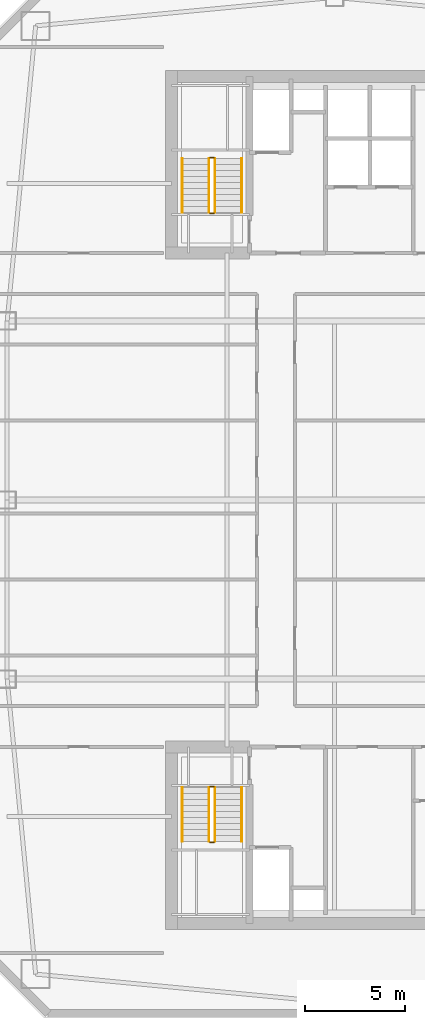
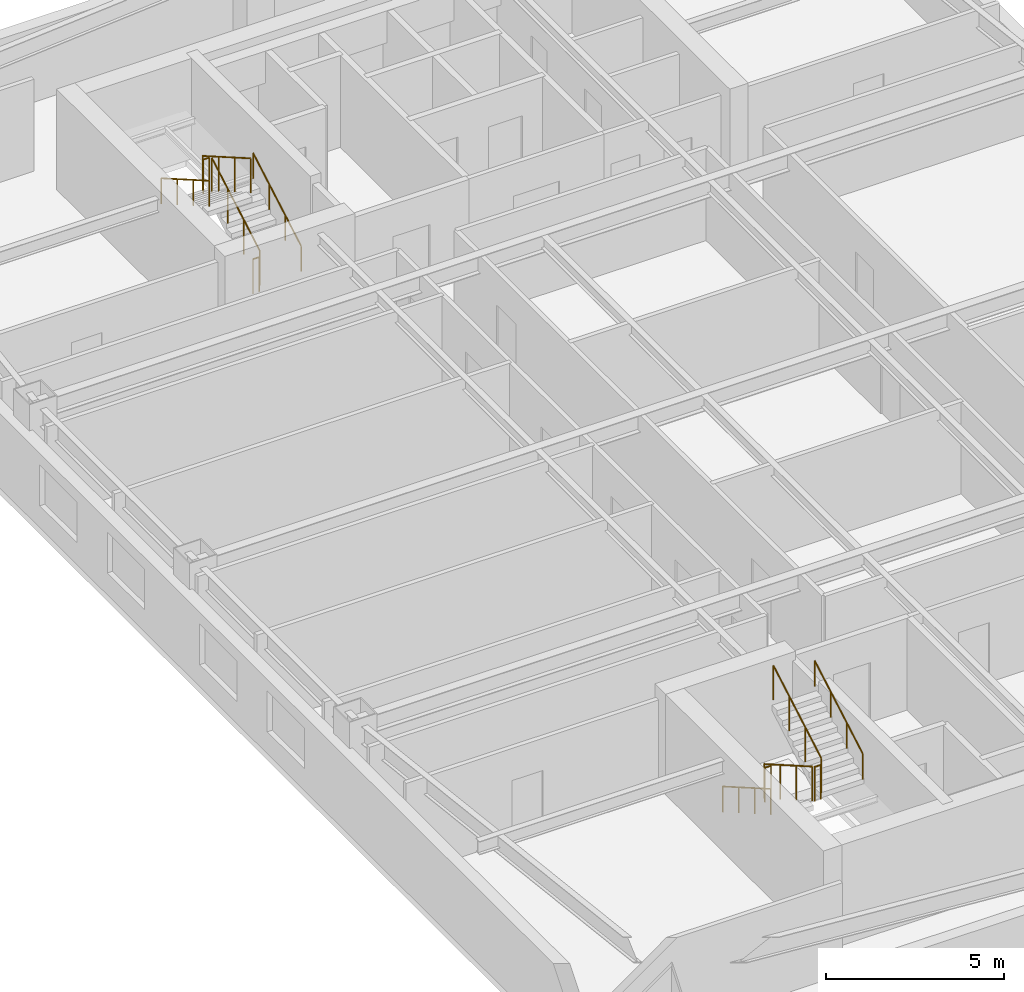
# One storey, part 12 of 13: 12 railings.
"""IFC4 building model written with IfcOpenShell, lengths in metres."""

from ifc_helpers import new_model, si_unit, direction, frame, origin, origin_2d, place, context, subcontext, project, spatial, circle, extrude, material, type_object, element, save


model = new_model("IFC4")

# Units and contexts
model_context = context("Model", 3, precision=1e-05, world=origin(), true_north=direction((0.0, 1.0)))
body_context = subcontext(model_context, "Body", "Model", "MODEL_VIEW")
ifc_project = project(units=[si_unit("LENGTHUNIT", "METRE"), si_unit("AREAUNIT", "SQUARE_METRE"), si_unit("VOLUMEUNIT", "CUBIC_METRE"), si_unit("PLANEANGLEUNIT", "RADIAN"), si_unit("MASSUNIT", "GRAM", prefix="KILO")], contexts=[model_context])

# Site, building, storey
site_placement = place(None, origin())
site = spatial("IfcSite", under=ifc_project, at=site_placement, CompositionType="ELEMENT")
building_placement = place(site_placement, origin())
building = spatial("IfcBuilding", under=site, at=building_placement, Name="Qiaolan Cultural Towers", CompositionType="ELEMENT")
storey_placement = place(building_placement, frame((0.0, 0.0, 180.550048828125)))
storey = spatial("IfcBuildingStorey", under=building, at=storey_placement, Name="L48", CompositionType="ELEMENT", Elevation=180.550048828125)

# Railings
ifc_material_1 = material(Name="Galvanized Painted Steel Stair Guardrail", Category="steel")
railing_type_1 = type_object("IfcRailingType", Name="RL-STAIR-GRD", PredefinedType="GUARDRAIL", material=ifc_material_1)
railing_1_placement = place(storey_placement, frame((23.68994140625, 19.550048828125, 0.17236328125)))
element("IfcRailing", 1, at=railing_1_placement, inside=storey, type_object=railing_type_1, Name="L48 ST-W1 stair guard 1", PredefinedType="GUARDRAIL", context=body_context, shape_type="SweptSolid", body=[
    extrude(circle(Radius=0.02392578125, at=origin_2d()), frame((0.0, 0.0, 1.17578125), z_axis=(0.0, -0.866903762492, 0.498475542607), x_axis=(1.0, 0.0, 0.0)), (0.0, 0.0, 1.0), 3.114501953125),
    extrude(circle(Radius=0.02099609375, at=origin_2d()), origin(), (0.0, 0.0, 1.0), 1.15185546875),
    extrude(circle(Radius=0.02099609375, at=origin_2d()), frame((0.0, -0.89990234375, 0.517578125)), (0.0, 0.0, 1.0), 1.15185546875),
    extrude(circle(Radius=0.02099609375, at=origin_2d()), frame((0.0, -1.800048828125, 1.034912109375)), (0.0, 0.0, 1.0), 1.15185546875),
    extrude(circle(Radius=0.02099609375, at=origin_2d()), frame((0.0, -2.699951171875, 1.552490234375)), (0.0, 0.0, 1.0), 1.15185546875),
])
railing_2_placement = place(storey_placement, frame((23.739990234375, 16.800048828125, 1.724853515625)))
element("IfcRailing", 2, at=railing_2_placement, inside=storey, type_object=railing_type_1, Name="L48 ST-W1 stair guard 2", PredefinedType="GUARDRAIL", context=body_context, shape_type="SweptSolid", body=[
    extrude(circle(Radius=0.02392578125, at=origin_2d()), frame((0.0, 0.0, 1.17578125), z_axis=(1.0, 0.0, 0.0), x_axis=(0.0, 1.0, 0.0)), (0.0, 0.0, 1.0), 0.199951171875),
    extrude(circle(Radius=0.02099609375, at=origin_2d()), origin(), (0.0, 0.0, 1.0), 1.15185546875),
    extrude(circle(Radius=0.02099609375, at=origin_2d()), frame((0.199951171875, 0.0, 0.0)), (0.0, 0.0, 1.0), 1.15185546875),
])
railing_3_placement = place(storey_placement, frame((23.989990234375, 16.85009765625, 1.8974609375)))
element("IfcRailing", 3, at=railing_3_placement, inside=storey, type_object=railing_type_1, Name="L48 ST-W1 stair guard 3", PredefinedType="GUARDRAIL", context=body_context, shape_type="SweptSolid", body=[
    extrude(circle(Radius=0.02392578125, at=origin_2d()), frame((0.0, 0.0, 1.17578125), z_axis=(0.0, 0.866903762492, 0.498475542607), x_axis=(-1.0, 0.0, 0.0)), (0.0, 0.0, 1.0), 3.114501953125),
    extrude(circle(Radius=0.02099609375, at=origin_2d()), origin(), (0.0, 0.0, 1.0), 1.15185546875),
    extrude(circle(Radius=0.02099609375, at=origin_2d()), frame((0.0, 0.89990234375, 0.517578125)), (0.0, 0.0, 1.0), 1.15185546875),
    extrude(circle(Radius=0.02099609375, at=origin_2d()), frame((0.0, 1.800048828125, 1.034912109375)), (0.0, 0.0, 1.0), 1.15185546875),
    extrude(circle(Radius=0.02099609375, at=origin_2d()), frame((0.0, 2.699951171875, 1.552490234375)), (0.0, 0.0, 1.0), 1.15185546875),
])
railing_4_placement = place(storey_placement, frame((23.739990234375, 19.60009765625, 0.0)))
element("IfcRailing", 4, at=railing_4_placement, inside=storey, type_object=railing_type_1, Name="L48 ST-W1 stair guard 4", PredefinedType="GUARDRAIL", context=body_context, shape_type="SweptSolid", body=[
    extrude(circle(Radius=0.02392578125, at=origin_2d()), frame((0.0, 0.0, 1.17578125), z_axis=(1.0, 0.0, 0.0), x_axis=(0.0, 1.0, 0.0)), (0.0, 0.0, 1.0), 0.199951171875),
    extrude(circle(Radius=0.02099609375, at=origin_2d()), origin(), (0.0, 0.0, 1.0), 1.15185546875),
    extrude(circle(Radius=0.02099609375, at=origin_2d()), frame((0.199951171875, 0.0, 0.0)), (0.0, 0.0, 1.0), 1.15185546875),
])
railing_5_placement = place(storey_placement, frame((23.989990234375, 48.449951171875, 0.17236328125)))
element("IfcRailing", 5, at=railing_5_placement, inside=storey, type_object=railing_type_1, Name="L48 ST-W2 stair guard 1", PredefinedType="GUARDRAIL", context=body_context, shape_type="SweptSolid", body=[
    extrude(circle(Radius=0.02392578125, at=origin_2d()), frame((0.0, 0.0, 1.17578125), z_axis=(0.0, 0.866903762492, 0.498475542607), x_axis=(-1.0, 0.0, 0.0)), (0.0, 0.0, 1.0), 3.114501953125),
    extrude(circle(Radius=0.02099609375, at=origin_2d()), origin(), (0.0, 0.0, 1.0), 1.15185546875),
    extrude(circle(Radius=0.02099609375, at=origin_2d()), frame((0.0, 0.89990234375, 0.517578125)), (0.0, 0.0, 1.0), 1.15185546875),
    extrude(circle(Radius=0.02099609375, at=origin_2d()), frame((0.0, 1.800048828125, 1.034912109375)), (0.0, 0.0, 1.0), 1.15185546875),
    extrude(circle(Radius=0.02099609375, at=origin_2d()), frame((0.0, 2.699951171875, 1.552490234375)), (0.0, 0.0, 1.0), 1.15185546875),
])
railing_6_placement = place(storey_placement, frame((23.93994140625, 51.199951171875, 1.724853515625)))
element("IfcRailing", 6, at=railing_6_placement, inside=storey, type_object=railing_type_1, Name="L48 ST-W2 stair guard 2", PredefinedType="GUARDRAIL", context=body_context, shape_type="SweptSolid", body=[
    extrude(circle(Radius=0.02392578125, at=origin_2d()), frame((0.0, 0.0, 1.17578125), z_axis=(-1.0, 0.0, 0.0), x_axis=(0.0, -1.0, 0.0)), (0.0, 0.0, 1.0), 0.199951171875),
    extrude(circle(Radius=0.02099609375, at=origin_2d()), origin(), (0.0, 0.0, 1.0), 1.15185546875),
    extrude(circle(Radius=0.02099609375, at=origin_2d()), frame((-0.199951171875, 0.0, 0.0)), (0.0, 0.0, 1.0), 1.15185546875),
])
railing_7_placement = place(storey_placement, frame((23.68994140625, 51.14990234375, 1.8974609375)))
element("IfcRailing", 7, at=railing_7_placement, inside=storey, type_object=railing_type_1, Name="L48 ST-W2 stair guard 3", PredefinedType="GUARDRAIL", context=body_context, shape_type="SweptSolid", body=[
    extrude(circle(Radius=0.02392578125, at=origin_2d()), frame((0.0, 0.0, 1.17578125), z_axis=(0.0, -0.866903762492, 0.498475542607), x_axis=(1.0, 0.0, 0.0)), (0.0, 0.0, 1.0), 3.114501953125),
    extrude(circle(Radius=0.02099609375, at=origin_2d()), origin(), (0.0, 0.0, 1.0), 1.15185546875),
    extrude(circle(Radius=0.02099609375, at=origin_2d()), frame((0.0, -0.89990234375, 0.517578125)), (0.0, 0.0, 1.0), 1.15185546875),
    extrude(circle(Radius=0.02099609375, at=origin_2d()), frame((0.0, -1.800048828125, 1.034912109375)), (0.0, 0.0, 1.0), 1.15185546875),
    extrude(circle(Radius=0.02099609375, at=origin_2d()), frame((0.0, -2.699951171875, 1.552490234375)), (0.0, 0.0, 1.0), 1.15185546875),
])
railing_8_placement = place(storey_placement, frame((23.93994140625, 48.39990234375, 0.0)))
element("IfcRailing", 8, at=railing_8_placement, inside=storey, type_object=railing_type_1, Name="L48 ST-W2 stair guard 4", PredefinedType="GUARDRAIL", context=body_context, shape_type="SweptSolid", body=[
    extrude(circle(Radius=0.02392578125, at=origin_2d()), frame((0.0, 0.0, 1.17578125), z_axis=(-1.0, 0.0, 0.0), x_axis=(0.0, -1.0, 0.0)), (0.0, 0.0, 1.0), 0.199951171875),
    extrude(circle(Radius=0.02099609375, at=origin_2d()), origin(), (0.0, 0.0, 1.0), 1.15185546875),
    extrude(circle(Radius=0.02099609375, at=origin_2d()), frame((-0.199951171875, 0.0, 0.0)), (0.0, 0.0, 1.0), 1.15185546875),
])
ifc_material_2 = material(Name="Stainless Steel S30408 Tubular Handrail", Category="steel")
railing_type_2 = type_object("IfcRailingType", Name="RL-STAIR-HR", PredefinedType="HANDRAIL", material=ifc_material_2)
railing_9_placement = place(storey_placement, frame((22.35009765625, 19.550048828125, 0.17236328125)))
element("IfcRailing", 9, at=railing_9_placement, inside=storey, type_object=railing_type_2, Name="L48 ST-W1 stair handrail 1", PredefinedType="HANDRAIL", context=body_context, shape_type="SweptSolid", body=[
    extrude(circle(Radius=0.02392578125, at=origin_2d()), frame((0.0, 0.0, 0.8759765625), z_axis=(0.0, -0.866903762492, 0.498475542607), x_axis=(1.0, 0.0, 0.0)), (0.0, 0.0, 1.0), 3.114501953125),
    extrude(circle(Radius=0.02099609375, at=origin_2d()), origin(), (0.0, 0.0, 1.0), 0.851806640625),
    extrude(circle(Radius=0.02099609375, at=origin_2d()), frame((0.0, -0.89990234375, 0.517578125)), (0.0, 0.0, 1.0), 0.851806640625),
    extrude(circle(Radius=0.02099609375, at=origin_2d()), frame((0.0, -1.800048828125, 1.034912109375)), (0.0, 0.0, 1.0), 0.851806640625),
    extrude(circle(Radius=0.02099609375, at=origin_2d()), frame((0.0, -2.699951171875, 1.552490234375)), (0.0, 0.0, 1.0), 0.851806640625),
])
for number, where, name in (
    (10, (25.330078125, 16.85009765625, 1.8974609375), "L48 ST-W1 stair handrail 2"),
    (11, (25.330078125, 48.449951171875, 0.17236328125), "L48 ST-W2 stair handrail 1"),
):
    element("IfcRailing", number, at=place(storey_placement, frame(where)), inside=storey, type_object=railing_type_2, Name=name, PredefinedType="HANDRAIL", context=body_context, shape_type="SweptSolid", body=[
        extrude(circle(Radius=0.02392578125, at=origin_2d()), frame((0.0, 0.0, 0.8759765625), z_axis=(0.0, 0.866903762492, 0.498475542607), x_axis=(-1.0, 0.0, 0.0)), (0.0, 0.0, 1.0), 3.114501953125),
        extrude(circle(Radius=0.02099609375, at=origin_2d()), origin(), (0.0, 0.0, 1.0), 0.851806640625),
        extrude(circle(Radius=0.02099609375, at=origin_2d()), frame((0.0, 0.89990234375, 0.517578125)), (0.0, 0.0, 1.0), 0.851806640625),
        extrude(circle(Radius=0.02099609375, at=origin_2d()), frame((0.0, 1.800048828125, 1.034912109375)), (0.0, 0.0, 1.0), 0.851806640625),
        extrude(circle(Radius=0.02099609375, at=origin_2d()), frame((0.0, 2.699951171875, 1.552490234375)), (0.0, 0.0, 1.0), 0.851806640625),
    ])
railing_10_placement = place(storey_placement, frame((22.35009765625, 51.14990234375, 1.8974609375)))
element("IfcRailing", 12, at=railing_10_placement, inside=storey, type_object=railing_type_2, Name="L48 ST-W2 stair handrail 2", PredefinedType="HANDRAIL", context=body_context, shape_type="SweptSolid", body=[
    extrude(circle(Radius=0.02392578125, at=origin_2d()), frame((0.0, 0.0, 0.8759765625), z_axis=(0.0, -0.866903762492, 0.498475542607), x_axis=(1.0, 0.0, 0.0)), (0.0, 0.0, 1.0), 3.114501953125),
    extrude(circle(Radius=0.02099609375, at=origin_2d()), origin(), (0.0, 0.0, 1.0), 0.851806640625),
    extrude(circle(Radius=0.02099609375, at=origin_2d()), frame((0.0, -0.89990234375, 0.517578125)), (0.0, 0.0, 1.0), 0.851806640625),
    extrude(circle(Radius=0.02099609375, at=origin_2d()), frame((0.0, -1.800048828125, 1.034912109375)), (0.0, 0.0, 1.0), 0.851806640625),
    extrude(circle(Radius=0.02099609375, at=origin_2d()), frame((0.0, -2.699951171875, 1.552490234375)), (0.0, 0.0, 1.0), 0.851806640625),
])

save(model, "model.ifc")
